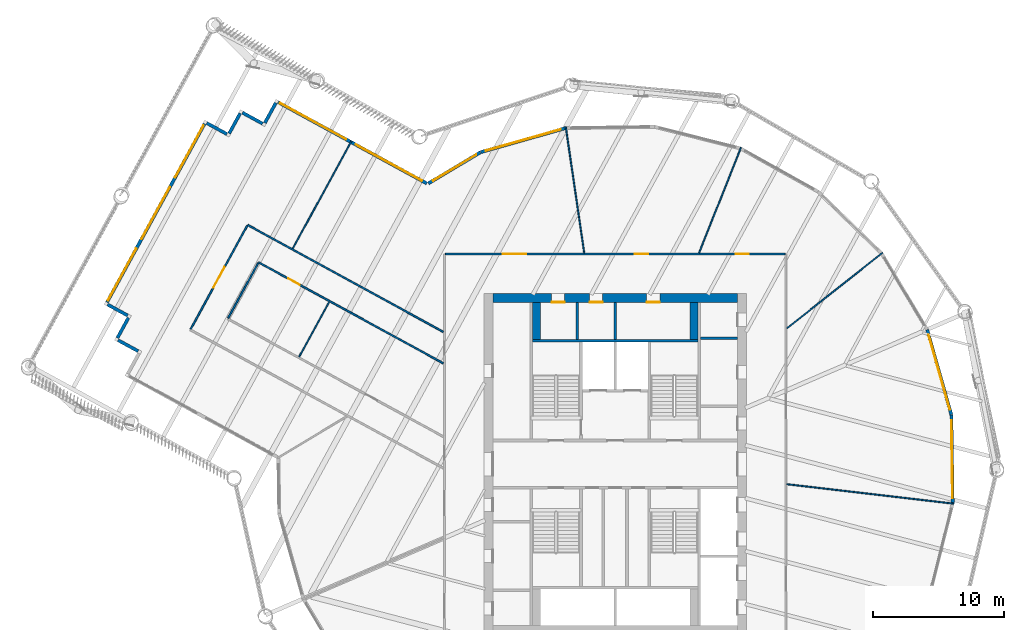
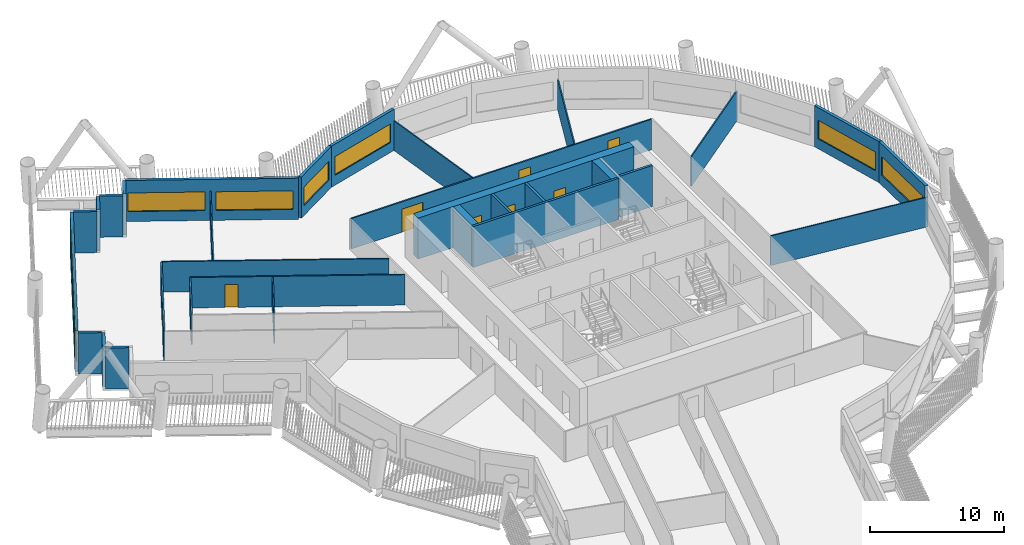
# One storey, part 6 of 24: 31 walls, 9 windows, 8 doors, 17 openings.
"""IFC4 building model written with IfcOpenShell, lengths in metres."""

from ifc_helpers import new_model, si_unit, direction, frame, frame_2d, origin, place, context, subcontext, project, spatial, rectangle, extrude, material, layer, layer_set, type_object, element, fill, save


model = new_model("IFC4")

# Units and contexts
model_context = context("Model", 3, precision=1e-05, world=origin(), true_north=direction((0.0, 1.0)))
body_context = subcontext(model_context, "Body", "Model", "MODEL_VIEW")
ifc_project = project(units=[si_unit("LENGTHUNIT", "METRE"), si_unit("AREAUNIT", "SQUARE_METRE"), si_unit("VOLUMEUNIT", "CUBIC_METRE"), si_unit("PLANEANGLEUNIT", "RADIAN"), si_unit("MASSUNIT", "GRAM", prefix="KILO")], contexts=[model_context])

# Site, building, storey
site_placement = place(None, origin())
site = spatial("IfcSite", under=ifc_project, at=site_placement, CompositionType="ELEMENT")
building_placement = place(site_placement, origin())
building = spatial("IfcBuilding", under=site, at=building_placement, Name="Tarsis Ring Headquarters", CompositionType="ELEMENT")
storey_placement = place(building_placement, frame((0.0, 0.0, 163.199951171875)))
storey = spatial("IfcBuildingStorey", under=building, at=storey_placement, Name="L37", CompositionType="ELEMENT", Elevation=163.199951171875)

# Walls
ifc_material_1 = material(Name="Blockwork", Category="masonry")
ifc_layer_1 = layer(ifc_material_1, 0.199951171875)
ifc_layer_set_1 = layer_set([ifc_layer_1], Name="Core blockwork wall 200")
wall_type_1 = type_object("IfcWallType", Name="Core blockwork wall 200", PredefinedType="PARTITIONING", material=ifc_layer_set_1)
for number, where, z_axis, x_axis, name in (
    (1, (6.5, 9.60009765625, 0.0), (0.0, 0.0, 1.0), (1.0, 0.0, 0.0), "Core partition ED7"),
    (2, (-2.89990234375, 9.5, 0.0), (0.0, 0.0, 1.0), (0.0, 1.0, 0.0), "Core partition ND1"),
    (3, (0.0, 9.5, 0.0), (0.0, 0.0, 1.0), (0.0, 1.0, 0.0), "Core partition ND2"),
):
    element("IfcWall", number, at=place(storey_placement, frame(where, z_axis=z_axis, x_axis=x_axis)), inside=storey, type_object=wall_type_1, Name=name, PredefinedType="PARTITIONING", context=body_context, shape_type="SweptSolid", body=[
        extrude(rectangle(XDim=2.800048828125, YDim=0.199951171875, at=frame_2d((1.39990234375, 0.0))), origin(), (0.0, 0.0, 1.0), 3.739990234375),
    ])

# Wall, openings, doors
ifc_material_2 = material(Name="Concrete C60/75", Category="concrete")
ifc_layer_2 = layer(ifc_material_2, 0.699951171875)
ifc_layer_set_2 = layer_set([ifc_layer_2], Name="Core wall 700 C60/75")
wall_type_2 = type_object("IfcWallType", Name="Core wall 700 C60/75", PredefinedType="SHEAR", material=ifc_layer_set_2)
wall_1_placement = place(storey_placement, frame((-9.300048828125, 12.64990234375, 0.0), z_axis=(0.0, 0.0, 1.0), x_axis=(1.0, 0.0, 0.0)))
wall_1 = element("IfcWall", 4, at=wall_1_placement, inside=storey, type_object=wall_type_2, Name="Core wall ON", PredefinedType="SHEAR", context=body_context, shape_type="SweptSolid", body=[
    extrude(rectangle(XDim=18.60009765625, YDim=0.699951171875, at=frame_2d((9.300048828125, 0.0))), origin(), (0.0, 0.0, 1.0), 3.739990234375),
])
opening_1_placement = place(wall_1_placement, frame((4.449951171875, 0.0, 0.0)))
opening_1 = element("IfcOpeningElement", 5, at=opening_1_placement, cuts=wall_1, Name="Opening L37-C14", PredefinedType="OPENING", context=body_context, shape_type="SweptSolid", body=[
    extrude(rectangle(XDim=1.0, YDim=2.10009765625, at=frame_2d((0.5, 1.050048828125))), frame((0.0, 0.35986328125, 0.0), z_axis=(0.0, -1.0, 0.0), x_axis=(1.0, 0.0, 0.0)), (0.0, 0.0, 1.0), 0.719970703125),
])
opening_2_placement = place(wall_1_placement, frame((7.35009765625, 0.0, 0.0)))
opening_2 = element("IfcOpeningElement", 6, at=opening_2_placement, cuts=wall_1, Name="Opening L37-C15", PredefinedType="OPENING", context=body_context, shape_type="SweptSolid", body=[
    extrude(rectangle(XDim=1.0, YDim=2.10009765625, at=frame_2d((0.5, 1.050048828125))), frame((0.0, 0.35986328125, 0.0), z_axis=(0.0, -1.0, 0.0), x_axis=(1.0, 0.0, 0.0)), (0.0, 0.0, 1.0), 0.719970703125),
])
opening_3_placement = place(wall_1_placement, frame((11.699951171875, 0.0, 0.0)))
opening_3 = element("IfcOpeningElement", 7, at=opening_3_placement, cuts=wall_1, Name="Opening L37-C16", PredefinedType="OPENING", context=body_context, shape_type="SweptSolid", body=[
    extrude(rectangle(XDim=1.0, YDim=2.10009765625, at=frame_2d((0.5, 1.050048828125))), frame((0.0, 0.35986328125, 0.0), z_axis=(0.0, -1.0, 0.0), x_axis=(1.0, 0.0, 0.0)), (0.0, 0.0, 1.0), 0.719970703125),
])
ifc_material_3 = material(Name="Steel S355", Category="steel")
door_type_1 = type_object("IfcDoorType", Name="Core room door 1000x2100", OperationType="SINGLE_SWING_LEFT", PredefinedType="DOOR", material=ifc_material_3)
door_1_placement = place(opening_1_placement, origin())
door_1 = element("IfcDoor", 8, at=door_1_placement, inside=storey, type_object=door_type_1, Name="Core room door L37", OperationType="SINGLE_SWING_LEFT", OverallHeight=2.10009765625, OverallWidth=1.0, PredefinedType="DOOR", context=body_context, shape_type="SweptSolid", body=[
    extrude(rectangle(XDim=1.0, YDim=2.10009765625, at=frame_2d((0.5, 1.050048828125))), frame((0.0, -0.2998046875, 0.0), z_axis=(0.0, -1.0, 0.0), x_axis=(1.0, 0.0, 0.0)), (0.0, 0.0, 1.0), 0.050048828125),
])
fill(opening_1, door_1)
door_2_placement = place(opening_2_placement, origin())
door_2 = element("IfcDoor", 9, at=door_2_placement, inside=storey, type_object=door_type_1, Name="Core room door L37", OperationType="SINGLE_SWING_LEFT", OverallHeight=2.10009765625, OverallWidth=1.0, PredefinedType="DOOR", context=body_context, shape_type="SweptSolid", body=[
    extrude(rectangle(XDim=1.0, YDim=2.10009765625, at=frame_2d((0.5, 1.050048828125))), frame((0.0, -0.2998046875, 0.0), z_axis=(0.0, -1.0, 0.0), x_axis=(1.0, 0.0, 0.0)), (0.0, 0.0, 1.0), 0.050048828125),
])
fill(opening_2, door_2)
door_3_placement = place(opening_3_placement, origin())
door_3 = element("IfcDoor", 10, at=door_3_placement, inside=storey, type_object=door_type_1, Name="Core room door L37", OperationType="SINGLE_SWING_LEFT", OverallHeight=2.10009765625, OverallWidth=1.0, PredefinedType="DOOR", context=body_context, shape_type="SweptSolid", body=[
    extrude(rectangle(XDim=1.0, YDim=2.10009765625, at=frame_2d((0.5, 1.050048828125))), frame((0.0, -0.2998046875, 0.0), z_axis=(0.0, -1.0, 0.0), x_axis=(1.0, 0.0, 0.0)), (0.0, 0.0, 1.0), 0.050048828125),
])
fill(opening_3, door_3)

# Walls
ifc_material_4 = material(Name="Gypsum board on steel studs", Category="steel")
ifc_layer_3 = layer(ifc_material_4, 0.10009765625)
ifc_layer_set_3 = layer_set([ifc_layer_3], Name="FL partition 100 unrated")
wall_type_3 = type_object("IfcWallType", Name="FL partition 100 unrated", PredefinedType="PARTITIONING", material=ifc_layer_set_3)
wall_2_placement = place(storey_placement, frame((13.069580078125, -1.526123046875, 0.0), z_axis=(0.0, 0.0, 1.0), x_axis=(0.993250829331, -0.115986163111, 0.0)))
element("IfcWall", 11, at=wall_2_placement, inside=storey, type_object=wall_type_3, Name="Partition PW3", PredefinedType="PARTITIONING", context=body_context, shape_type="SweptSolid", body=[
    extrude(rectangle(XDim=12.78955078125, YDim=0.10009765625, at=frame_2d((6.394775390625, 0.0))), origin(), (0.0, 0.0, 1.0), 2.699951171875),
])
wall_3_placement = place(storey_placement, frame((-3.763671875, 25.67333984375, 0.0), z_axis=(0.0, 0.0, 1.0), x_axis=(0.145050825958, -0.989424205227, 0.0)))
element("IfcWall", 12, at=wall_3_placement, inside=storey, type_object=wall_type_3, Name="Partition PW3", PredefinedType="PARTITIONING", context=body_context, shape_type="SweptSolid", body=[
    extrude(rectangle(XDim=9.70654296875, YDim=0.10009765625, at=frame_2d((4.853271484375, 0.0))), origin(), (0.0, 0.0, 1.0), 2.699951171875),
])
wall_4_placement = place(storey_placement, frame((-24.55419921875, 16.41796875, 0.0), z_axis=(0.0, 0.0, 1.0), x_axis=(0.479626442255, 0.877472777862, 0.0)))
element("IfcWall", 13, at=wall_4_placement, inside=storey, type_object=wall_type_3, Name="Partition PW3", PredefinedType="PARTITIONING", context=body_context, shape_type="SweptSolid", body=[
    extrude(rectangle(XDim=9.3203125, YDim=0.10009765625, at=frame_2d((4.66015625, 0.0))), origin(), (0.0, 0.0, 1.0), 2.699951171875),
])
wall_5_placement = place(storey_placement, frame((13.086181640625, 10.349853515625, 0.0), z_axis=(0.0, 0.0, 1.0), x_axis=(0.784350879441, 0.62031741707, 0.0)))
element("IfcWall", 14, at=wall_5_placement, inside=storey, type_object=wall_type_3, Name="Partition PW3", PredefinedType="PARTITIONING", context=body_context, shape_type="SweptSolid", body=[
    extrude(rectangle(XDim=9.263427734375, YDim=0.10009765625, at=frame_2d((4.6318359375, 0.0))), origin(), (0.0, 0.0, 1.0), 2.699951171875),
])
wall_6_placement = place(storey_placement, frame((6.3837890625, 16.074462890625, 0.0), z_axis=(0.0, 0.0, 1.0), x_axis=(0.369107861976, 0.929386564475, 0.0)))
element("IfcWall", 15, at=wall_6_placement, inside=storey, type_object=wall_type_3, Name="Partition PW3", PredefinedType="PARTITIONING", context=body_context, shape_type="SweptSolid", body=[
    extrude(rectangle(XDim=8.65234375, YDim=0.10009765625, at=frame_2d((4.326171875, 0.0))), origin(), (0.0, 0.0, 1.0), 2.699951171875),
])
wall_7_placement = place(storey_placement, frame((-24.068115234375, 8.1748046875, 0.0), z_axis=(0.0, 0.0, 1.0), x_axis=(0.479595800786, 0.877489525788, 0.0)))
element("IfcWall", 16, at=wall_7_placement, inside=storey, type_object=wall_type_3, Name="Partition PW3", PredefinedType="PARTITIONING", context=body_context, shape_type="SweptSolid", body=[
    extrude(rectangle(XDim=4.76025390625, YDim=0.10009765625, at=frame_2d((2.380126953125, 0.0))), origin(), (0.0, 0.0, 1.0), 2.699951171875),
])

# Wall, openings, doors
ifc_layer_4 = layer(ifc_material_4, 0.125)
ifc_layer_set_4 = layer_set([ifc_layer_4], Name="FL partition 125 EI 60 H2770")
wall_type_4 = type_object("IfcWallType", Name="FL partition 125 EI 60 H2770", PredefinedType="PARTITIONING", material=ifc_layer_set_4)
wall_8_placement = place(storey_placement, frame((-12.93994140625, 16.0, 0.0), z_axis=(0.0, 0.0, 1.0), x_axis=(1.0, 0.0, 0.0)))
wall_8 = element("IfcWall", 17, at=wall_8_placement, inside=storey, type_object=wall_type_4, Name="Partition PW1", PredefinedType="PARTITIONING", context=body_context, shape_type="SweptSolid", body=[
    extrude(rectangle(XDim=25.8798828125, YDim=0.125, at=frame_2d((12.93994140625, 0.0))), origin(), (0.0, 0.0, 1.0), 2.77001953125),
])
opening_4_placement = place(wall_8_placement, frame((4.3671875, 0.0, 0.0)))
opening_4 = element("IfcOpeningElement", 18, at=opening_4_placement, cuts=wall_8, Name="Opening D37.02", PredefinedType="OPENING", context=body_context, shape_type="SweptSolid", body=[
    extrude(rectangle(XDim=1.800048828125, YDim=2.10009765625, at=frame_2d((0.89990234375, 1.050048828125))), frame((0.0, 0.072509765625, 0.0), z_axis=(0.0, -1.0, 0.0), x_axis=(1.0, 0.0, 0.0)), (0.0, 0.0, 1.0), 0.14501953125),
])
opening_5_placement = place(wall_8_placement, frame((14.4443359375, 0.0, 0.0)))
opening_5 = element("IfcOpeningElement", 19, at=opening_5_placement, cuts=wall_8, Name="Opening D37.03", PredefinedType="OPENING", context=body_context, shape_type="SweptSolid", body=[
    extrude(rectangle(XDim=1.0, YDim=2.10009765625, at=frame_2d((0.5, 1.050048828125))), frame((0.0, 0.072509765625, 0.0), z_axis=(0.0, -1.0, 0.0), x_axis=(1.0, 0.0, 0.0)), (0.0, 0.0, 1.0), 0.14501953125),
])
opening_6_placement = place(wall_8_placement, frame((22.1171875, 0.0, 0.0)))
opening_6 = element("IfcOpeningElement", 20, at=opening_6_placement, cuts=wall_8, Name="Opening D37.04", PredefinedType="OPENING", context=body_context, shape_type="SweptSolid", body=[
    extrude(rectangle(XDim=1.0, YDim=2.10009765625, at=frame_2d((0.5, 1.050048828125))), frame((0.0, 0.072509765625, 0.0), z_axis=(0.0, -1.0, 0.0), x_axis=(1.0, 0.0, 0.0)), (0.0, 0.0, 1.0), 0.14501953125),
])
ifc_material_5 = material(Name="Fire-rated timber door leaf in steel frame", Category="steel")
door_type_2 = type_object("IfcDoorType", Name="FL door FD60-1000", OperationType="NOTDEFINED", PredefinedType="DOOR", material=ifc_material_5)
door_4_placement = place(opening_5_placement, origin())
door_4 = element("IfcDoor", 21, at=door_4_placement, inside=storey, type_object=door_type_2, Name="Door D37.03", OperationType="SINGLE_SWING_RIGHT", OverallHeight=2.10009765625, OverallWidth=1.0, PredefinedType="DOOR", context=body_context, shape_type="SweptSolid", body=[
    extrude(rectangle(XDim=1.0, YDim=2.10009765625, at=frame_2d((0.5, 1.050048828125))), frame((0.0, 0.02490234375, 0.0), z_axis=(0.0, -1.0, 0.0), x_axis=(1.0, 0.0, 0.0)), (0.0, 0.0, 1.0), 0.050048828125),
])
fill(opening_5, door_4)
door_5_placement = place(opening_6_placement, origin())
door_5 = element("IfcDoor", 22, at=door_5_placement, inside=storey, type_object=door_type_2, Name="Door D37.04", OperationType="SINGLE_SWING_LEFT", OverallHeight=2.10009765625, OverallWidth=1.0, PredefinedType="DOOR", context=body_context, shape_type="SweptSolid", body=[
    extrude(rectangle(XDim=1.0, YDim=2.10009765625, at=frame_2d((0.5, 1.050048828125))), frame((0.0, 0.02490234375, 0.0), z_axis=(0.0, -1.0, 0.0), x_axis=(1.0, 0.0, 0.0)), (0.0, 0.0, 1.0), 0.050048828125),
])
fill(opening_6, door_5)
door_type_3 = type_object("IfcDoorType", Name="FL door FD60-1800", OperationType="DOUBLE_DOOR_SINGLE_SWING", PredefinedType="DOOR", material=ifc_material_5)
door_6_placement = place(opening_4_placement, origin())
door_6 = element("IfcDoor", 23, at=door_6_placement, inside=storey, type_object=door_type_3, Name="Door D37.02", OperationType="DOUBLE_DOOR_SINGLE_SWING", OverallHeight=2.10009765625, OverallWidth=1.800048828125, PredefinedType="DOOR", context=body_context, shape_type="SweptSolid", body=[
    extrude(rectangle(XDim=1.800048828125, YDim=2.10009765625, at=frame_2d((0.89990234375, 1.050048828125))), frame((0.0, 0.02490234375, 0.0), z_axis=(0.0, -1.0, 0.0), x_axis=(1.0, 0.0, 0.0)), (0.0, 0.0, 1.0), 0.050048828125),
])
fill(opening_4, door_6)

# Wall
wall_9_placement = place(storey_placement, frame((-27.9921875, 18.21728515625, 0.0), z_axis=(0.0, 0.0, 1.0), x_axis=(0.877481071191, -0.479611269365, 0.0)))
element("IfcWall", 24, at=wall_9_placement, inside=storey, type_object=wall_type_4, Name="Partition PW1", PredefinedType="PARTITIONING", context=body_context, shape_type="SweptSolid", body=[
    extrude(rectangle(XDim=16.985595703125, YDim=0.125, at=frame_2d((8.49267578125, 0.0))), origin(), (0.0, 0.0, 1.0), 2.77001953125),
])

# Wall, opening, door
wall_10_placement = place(storey_placement, frame((-27.15673828125, 15.367431640625, 0.0), z_axis=(0.0, 0.0, 1.0), x_axis=(0.877484995228, -0.479604090005, 0.0)))
wall_10 = element("IfcWall", 25, at=wall_10_placement, inside=storey, type_object=wall_type_4, Name="Partition PW1", PredefinedType="PARTITIONING", context=body_context, shape_type="SweptSolid", body=[
    extrude(rectangle(XDim=16.033447265625, YDim=0.125, at=frame_2d((8.0166015625, 0.0))), origin(), (0.0, 0.0, 1.0), 2.77001953125),
])
opening_7_placement = place(wall_10_placement, frame((2.577880859375, 0.0, 0.0)))
opening_7 = element("IfcOpeningElement", 26, at=opening_7_placement, cuts=wall_10, Name="Opening D37.12", PredefinedType="OPENING", context=body_context, shape_type="SweptSolid", body=[
    extrude(rectangle(XDim=1.0, YDim=2.10009765625, at=frame_2d((0.5, 1.050048828125))), frame((0.0, 0.072509765625, 0.0), z_axis=(0.0, -1.0, 0.0), x_axis=(1.0, 0.0, 0.0)), (0.0, 0.0, 1.0), 0.14501953125),
])
door_7_placement = place(opening_7_placement, origin())
door_7 = element("IfcDoor", 27, at=door_7_placement, inside=storey, type_object=door_type_2, Name="Door D37.12", OperationType="SINGLE_SWING_LEFT", OverallHeight=2.10009765625, OverallWidth=1.0, PredefinedType="DOOR", context=body_context, shape_type="SweptSolid", body=[
    extrude(rectangle(XDim=1.0, YDim=2.10009765625, at=frame_2d((0.5, 1.050048828125))), frame((0.0, 0.02490234375, 0.0), z_axis=(0.0, -1.0, 0.0), x_axis=(1.0, 0.0, 0.0)), (0.0, 0.0, 1.0), 0.050048828125),
])
fill(opening_7, door_7)

wall_11_placement = place(storey_placement, frame((-32.327880859375, 10.284912109375, 0.0), z_axis=(0.0, 0.0, 1.0), x_axis=(0.479604356998, 0.877484849298, 0.0)))
wall_11 = element("IfcWall", 28, at=wall_11_placement, inside=storey, type_object=wall_type_4, Name="Partition PW1", PredefinedType="PARTITIONING", context=body_context, shape_type="SweptSolid", body=[
    extrude(rectangle(XDim=8.97998046875, YDim=0.125, at=frame_2d((4.489990234375, 0.0))), origin(), (0.0, 0.0, 1.0), 2.77001953125),
])
opening_8_placement = place(wall_11_placement, frame((3.590087890625, 0.0, 0.0)))
opening_8 = element("IfcOpeningElement", 29, at=opening_8_placement, cuts=wall_11, Name="Opening D37.01", PredefinedType="OPENING", context=body_context, shape_type="SweptSolid", body=[
    extrude(rectangle(XDim=1.800048828125, YDim=2.10009765625, at=frame_2d((0.89990234375, 1.050048828125))), frame((0.0, 0.072509765625, 0.0), z_axis=(0.0, -1.0, 0.0), x_axis=(1.0, 0.0, 0.0)), (0.0, 0.0, 1.0), 0.14501953125),
])
door_8_placement = place(opening_8_placement, origin())
door_8 = element("IfcDoor", 30, at=door_8_placement, inside=storey, type_object=door_type_3, Name="Door D37.01", OperationType="DOUBLE_DOOR_SINGLE_SWING", OverallHeight=2.10009765625, OverallWidth=1.800048828125, PredefinedType="DOOR", context=body_context, shape_type="SweptSolid", body=[
    extrude(rectangle(XDim=1.800048828125, YDim=2.10009765625, at=frame_2d((0.89990234375, 1.050048828125))), frame((0.0, 0.02490234375, 0.0), z_axis=(0.0, -1.0, 0.0), x_axis=(1.0, 0.0, 0.0)), (0.0, 0.0, 1.0), 0.050048828125),
])
fill(opening_8, door_8)

# Wall
wall_12_placement = place(storey_placement, frame((-29.47802734375, 11.12060546875, 0.0), z_axis=(0.0, 0.0, 1.0), x_axis=(0.479603455327, 0.877485342122, 0.0)))
element("IfcWall", 31, at=wall_12_placement, inside=storey, type_object=wall_type_4, Name="Partition PW1", PredefinedType="PARTITIONING", context=body_context, shape_type="SweptSolid", body=[
    extrude(rectangle(XDim=4.780029296875, YDim=0.125, at=frame_2d((2.39013671875, 0.0))), origin(), (0.0, 0.0, 1.0), 2.77001953125),
])

# Wall, opening, window
ifc_material_6 = material(Name="Terracotta clad insulated panel wall", Category="masonry")
ifc_layer_5 = layer(ifc_material_6, 0.25)
ifc_layer_set_5 = layer_set([ifc_layer_5], Name="Facade wall terracotta panel 250")
wall_type_5 = type_object("IfcWallType", Name="Facade wall terracotta panel 250", PredefinedType="STANDARD", material=ifc_layer_set_5)
wall_13_placement = place(storey_placement, frame((25.698974609375, -2.984375, 0.0), z_axis=(0.0, 0.0, 1.0), x_axis=(-0.014637539496, 0.99989286548, 0.0)))
wall_13 = element("IfcWall", 32, at=wall_13_placement, inside=storey, type_object=wall_type_5, Name="External wall L37-22", PredefinedType="STANDARD", context=body_context, shape_type="SweptSolid", body=[
    extrude(rectangle(XDim=6.7216796875, YDim=0.25, at=frame_2d((3.36083984375, 0.0))), origin(), (0.0, 0.0, 1.0), 3.739990234375),
])
opening_9_placement = place(wall_13_placement, frame((0.3857421875, 0.0, 0.89990234375)))
opening_9 = element("IfcOpeningElement", 33, at=opening_9_placement, cuts=wall_13, Name="Opening WN07", PredefinedType="OPENING", context=body_context, shape_type="SweptSolid", body=[
    extrude(rectangle(XDim=5.949951171875, YDim=1.699951171875, at=frame_2d((2.97509765625, 0.85009765625))), frame((0.0, 0.135009765625, 0.0), z_axis=(0.0, -1.0, 0.0), x_axis=(1.0, 0.0, 0.0)), (0.0, 0.0, 1.0), 0.27001953125),
])
ifc_material_7 = material(Name="Aluminium framed double glazing", Category="aluminium")
window_type_1 = type_object("IfcWindowType", Name="Facade window 5950 x 1700", PartitioningType="SINGLE_PANEL", PredefinedType="WINDOW", material=ifc_material_7)
window_1_placement = place(opening_9_placement, origin())
window_1 = element("IfcWindow", 34, at=window_1_placement, inside=storey, type_object=window_type_1, Name="Window L37-22.1", OverallHeight=1.699951171875, OverallWidth=5.949951171875, PartitioningType="SINGLE_PANEL", PredefinedType="WINDOW", context=body_context, shape_type="SweptSolid", body=[
    extrude(rectangle(XDim=5.949951171875, YDim=1.699951171875, at=frame_2d((2.97509765625, 0.85009765625))), frame((0.0, 0.030029296875, 0.0), z_axis=(0.0, -1.0, 0.0), x_axis=(1.0, 0.0, 0.0)), (0.0, 0.0, 1.0), 0.06005859375),
])
fill(opening_9, window_1)

wall_14_placement = place(storey_placement, frame((25.595703125, 3.768798828125, 0.0), z_axis=(0.0, 0.0, 1.0), x_axis=(-0.272926460476, 0.962034899144, 0.0)))
wall_14 = element("IfcWall", 35, at=wall_14_placement, inside=storey, type_object=wall_type_5, Name="External wall L37-23", PredefinedType="STANDARD", context=body_context, shape_type="SweptSolid", body=[
    extrude(rectangle(XDim=6.721435546875, YDim=0.25, at=frame_2d((3.36083984375, 0.0))), origin(), (0.0, 0.0, 1.0), 3.739990234375),
])
opening_10_placement = place(wall_14_placement, frame((0.3857421875, 0.0, 0.89990234375)))
opening_10 = element("IfcOpeningElement", 36, at=opening_10_placement, cuts=wall_14, Name="Opening WN07", PredefinedType="OPENING", context=body_context, shape_type="SweptSolid", body=[
    extrude(rectangle(XDim=5.949951171875, YDim=1.699951171875, at=frame_2d((2.97509765625, 0.85009765625))), frame((0.0, 0.135009765625, 0.0), z_axis=(0.0, -1.0, 0.0), x_axis=(1.0, 0.0, 0.0)), (0.0, 0.0, 1.0), 0.27001953125),
])
window_2_placement = place(opening_10_placement, origin())
window_2 = element("IfcWindow", 37, at=window_2_placement, inside=storey, type_object=window_type_1, Name="Window L37-23.1", OverallHeight=1.699951171875, OverallWidth=5.949951171875, PartitioningType="SINGLE_PANEL", PredefinedType="WINDOW", context=body_context, shape_type="SweptSolid", body=[
    extrude(rectangle(XDim=5.949951171875, YDim=1.699951171875, at=frame_2d((2.97509765625, 0.85009765625))), frame((0.0, 0.030029296875, 0.0), z_axis=(0.0, -1.0, 0.0), x_axis=(1.0, 0.0, 0.0)), (0.0, 0.0, 1.0), 0.06005859375),
])
fill(opening_10, window_2)

wall_15_placement = place(storey_placement, frame((-3.768798828125, 25.595703125, 0.0), z_axis=(0.0, 0.0, 1.0), x_axis=(-0.962034899144, -0.272926460476, 0.0)))
wall_15 = element("IfcWall", 38, at=wall_15_placement, inside=storey, type_object=wall_type_5, Name="External wall L37-29", PredefinedType="STANDARD", context=body_context, shape_type="SweptSolid", body=[
    extrude(rectangle(XDim=6.721435546875, YDim=0.25, at=frame_2d((3.36083984375, 0.0))), origin(), (0.0, 0.0, 1.0), 3.739990234375),
])
opening_11_placement = place(wall_15_placement, frame((0.3857421875, 0.0, 0.89990234375)))
opening_11 = element("IfcOpeningElement", 39, at=opening_11_placement, cuts=wall_15, Name="Opening WN07", PredefinedType="OPENING", context=body_context, shape_type="SweptSolid", body=[
    extrude(rectangle(XDim=5.949951171875, YDim=1.699951171875, at=frame_2d((2.97509765625, 0.85009765625))), frame((0.0, 0.135009765625, 0.0), z_axis=(0.0, -1.0, 0.0), x_axis=(1.0, 0.0, 0.0)), (0.0, 0.0, 1.0), 0.27001953125),
])
window_3_placement = place(opening_11_placement, origin())
window_3 = element("IfcWindow", 40, at=window_3_placement, inside=storey, type_object=window_type_1, Name="Window L37-29.1", OverallHeight=1.699951171875, OverallWidth=5.949951171875, PartitioningType="SINGLE_PANEL", PredefinedType="WINDOW", context=body_context, shape_type="SweptSolid", body=[
    extrude(rectangle(XDim=5.949951171875, YDim=1.699951171875, at=frame_2d((2.97509765625, 0.85009765625))), frame((0.0, 0.030029296875, 0.0), z_axis=(0.0, -1.0, 0.0), x_axis=(1.0, 0.0, 0.0)), (0.0, 0.0, 1.0), 0.06005859375),
])
fill(opening_11, window_3)

wall_16_placement = place(storey_placement, frame((-10.26513671875, 23.748291015625, 0.0), z_axis=(0.0, 0.0, 1.0), x_axis=(-0.858587226667, -0.512667508435, 0.0)))
wall_16 = element("IfcWall", 41, at=wall_16_placement, inside=storey, type_object=wall_type_5, Name="External wall L37-30", PredefinedType="STANDARD", context=body_context, shape_type="SweptSolid", body=[
    extrude(rectangle(XDim=4.617919921875, YDim=0.25, at=frame_2d((2.30908203125, 0.0))), origin(), (0.0, 0.0, 1.0), 3.739990234375),
])
opening_12_placement = place(wall_16_placement, frame((0.367431640625, 0.0, 0.89990234375)))
opening_12 = element("IfcOpeningElement", 42, at=opening_12_placement, cuts=wall_16, Name="Opening WN02", PredefinedType="OPENING", context=body_context, shape_type="SweptSolid", body=[
    extrude(rectangle(XDim=3.85009765625, YDim=1.699951171875, at=frame_2d((1.925048828125, 0.85009765625))), frame((0.0, 0.135009765625, 0.0), z_axis=(0.0, -1.0, 0.0), x_axis=(1.0, 0.0, 0.0)), (0.0, 0.0, 1.0), 0.27001953125),
])
window_type_2 = type_object("IfcWindowType", Name="Facade window 3850 x 1700", PartitioningType="SINGLE_PANEL", PredefinedType="WINDOW", material=ifc_material_7)
window_4_placement = place(opening_12_placement, origin())
window_4 = element("IfcWindow", 43, at=window_4_placement, inside=storey, type_object=window_type_2, Name="Window L37-30.1", OverallHeight=1.699951171875, OverallWidth=3.85009765625, PartitioningType="SINGLE_PANEL", PredefinedType="WINDOW", context=body_context, shape_type="SweptSolid", body=[
    extrude(rectangle(XDim=3.85009765625, YDim=1.699951171875, at=frame_2d((1.925048828125, 0.85009765625))), frame((0.0, 0.030029296875, 0.0), z_axis=(0.0, -1.0, 0.0), x_axis=(1.0, 0.0, 0.0)), (0.0, 0.0, 1.0), 0.06005859375),
])
fill(opening_12, window_4)

# Wall, openings, windows
wall_17_placement = place(storey_placement, frame((-14.35400390625, 21.378662109375, 0.0), z_axis=(0.0, 0.0, 1.0), x_axis=(-0.877483019654, 0.479607704503, 0.0)))
wall_17 = element("IfcWall", 44, at=wall_17_placement, inside=storey, type_object=wall_type_5, Name="External wall L37-31", PredefinedType="STANDARD", context=body_context, shape_type="SweptSolid", body=[
    extrude(rectangle(XDim=12.901123046875, YDim=0.25, at=frame_2d((6.45068359375, 0.0))), origin(), (0.0, 0.0, 1.0), 3.739990234375),
])
opening_13_placement = place(wall_17_placement, frame((0.412841796875, 0.0, 0.89990234375)))
opening_13 = element("IfcOpeningElement", 45, at=opening_13_placement, cuts=wall_17, Name="Opening WN06", PredefinedType="OPENING", context=body_context, shape_type="SweptSolid", body=[
    extrude(rectangle(XDim=5.75, YDim=1.699951171875, at=frame_2d((2.875, 0.85009765625))), frame((0.0, 0.135009765625, 0.0), z_axis=(0.0, -1.0, 0.0), x_axis=(1.0, 0.0, 0.0)), (0.0, 0.0, 1.0), 0.27001953125),
])
opening_14_placement = place(wall_17_placement, frame((6.988525390625, 0.0, 0.89990234375)))
opening_14 = element("IfcOpeningElement", 46, at=opening_14_placement, cuts=wall_17, Name="Opening WN06", PredefinedType="OPENING", context=body_context, shape_type="SweptSolid", body=[
    extrude(rectangle(XDim=5.75, YDim=1.699951171875, at=frame_2d((2.875, 0.85009765625))), frame((0.0, 0.135009765625, 0.0), z_axis=(0.0, -1.0, 0.0), x_axis=(1.0, 0.0, 0.0)), (0.0, 0.0, 1.0), 0.27001953125),
])
window_type_3 = type_object("IfcWindowType", Name="Facade window 5750 x 1700", PartitioningType="SINGLE_PANEL", PredefinedType="WINDOW", material=ifc_material_7)
window_5_placement = place(opening_13_placement, origin())
window_5 = element("IfcWindow", 47, at=window_5_placement, inside=storey, type_object=window_type_3, Name="Window L37-31.1", OverallHeight=1.699951171875, OverallWidth=5.75, PartitioningType="SINGLE_PANEL", PredefinedType="WINDOW", context=body_context, shape_type="SweptSolid", body=[
    extrude(rectangle(XDim=5.75, YDim=1.699951171875, at=frame_2d((2.875, 0.85009765625))), frame((0.0, 0.030029296875, 0.0), z_axis=(0.0, -1.0, 0.0), x_axis=(1.0, 0.0, 0.0)), (0.0, 0.0, 1.0), 0.06005859375),
])
fill(opening_13, window_5)
window_6_placement = place(opening_14_placement, origin())
window_6 = element("IfcWindow", 48, at=window_6_placement, inside=storey, type_object=window_type_3, Name="Window L37-31.2", OverallHeight=1.699951171875, OverallWidth=5.75, PartitioningType="SINGLE_PANEL", PredefinedType="WINDOW", context=body_context, shape_type="SweptSolid", body=[
    extrude(rectangle(XDim=5.75, YDim=1.699951171875, at=frame_2d((2.875, 0.85009765625))), frame((0.0, 0.030029296875, 0.0), z_axis=(0.0, -1.0, 0.0), x_axis=(1.0, 0.0, 0.0)), (0.0, 0.0, 1.0), 0.06005859375),
])
fill(opening_14, window_6)

# Walls
for number, where, z_axis, x_axis, name in (
    (49, (-25.84423828125, 27.516357421875, 0.0), (0.0, 0.0, 1.0), (-0.479673050927, -0.877447299964, 0.0), "External wall L37-32"),
    (50, (-26.853271484375, 25.93115234375, 0.0), (0.0, 0.0, 1.0), (-0.877447299964, 0.479673050927, 0.0), "External wall L37-33"),
):
    element("IfcWall", number, at=place(storey_placement, frame(where, z_axis=z_axis, x_axis=x_axis)), inside=storey, type_object=wall_type_5, Name=name, PredefinedType="STANDARD", context=body_context, shape_type="SweptSolid", body=[
        extrude(rectangle(XDim=1.749755859375, YDim=0.25, at=frame_2d((0.875, 0.0))), origin(), (0.0, 0.0, 1.0), 3.739990234375),
    ])
for number, where, z_axis, x_axis, name in (
    (51, (-28.558349609375, 26.720703125, 0.0), (0.0, 0.0, 1.0), (-0.479614334369, -0.877479395922, 0.0), "External wall L37-34"),
    (52, (-29.5673828125, 25.135498046875, 0.0), (0.0, 0.0, 1.0), (-0.877538103719, 0.479506909775, 0.0), "External wall L37-35"),
):
    element("IfcWall", number, at=place(storey_placement, frame(where, z_axis=z_axis, x_axis=x_axis)), inside=storey, type_object=wall_type_5, Name=name, PredefinedType="STANDARD", context=body_context, shape_type="SweptSolid", body=[
        extrude(rectangle(XDim=1.75, YDim=0.25, at=frame_2d((0.875, 0.0))), origin(), (0.0, 0.0, 1.0), 3.739990234375),
    ])

# Wall, openings, windows
wall_18_placement = place(storey_placement, frame((-31.2724609375, 25.925048828125, 0.0), z_axis=(0.0, 0.0, 1.0), x_axis=(-0.479613408886, -0.877479901774, 0.0)))
wall_18 = element("IfcWall", 53, at=wall_18_placement, inside=storey, type_object=wall_type_5, Name="External wall L37-36", PredefinedType="STANDARD", context=body_context, shape_type="SweptSolid", body=[
    extrude(rectangle(XDim=15.500244140625, YDim=0.25, at=frame_2d((7.75, 0.0))), origin(), (0.0, 0.0, 1.0), 3.739990234375),
])
opening_15_placement = place(wall_18_placement, frame((0.166748046875, 0.0, 0.89990234375)))
opening_15 = element("IfcOpeningElement", 54, at=opening_15_placement, cuts=wall_18, Name="Opening WN04", PredefinedType="OPENING", context=body_context, shape_type="SweptSolid", body=[
    extrude(rectangle(XDim=4.5, YDim=1.699951171875, at=frame_2d((2.25, 0.85009765625))), frame((0.0, 0.135009765625, 0.0), z_axis=(0.0, -1.0, 0.0), x_axis=(1.0, 0.0, 0.0)), (0.0, 0.0, 1.0), 0.27001953125),
])
opening_16_placement = place(wall_18_placement, frame((5.5, 0.0, 0.89990234375)))
opening_16 = element("IfcOpeningElement", 55, at=opening_16_placement, cuts=wall_18, Name="Opening WN04", PredefinedType="OPENING", context=body_context, shape_type="SweptSolid", body=[
    extrude(rectangle(XDim=4.5, YDim=1.699951171875, at=frame_2d((2.25, 0.85009765625))), frame((0.0, 0.135009765625, 0.0), z_axis=(0.0, -1.0, 0.0), x_axis=(1.0, 0.0, 0.0)), (0.0, 0.0, 1.0), 0.27001953125),
])
opening_17_placement = place(wall_18_placement, frame((10.833251953125, 0.0, 0.89990234375)))
opening_17 = element("IfcOpeningElement", 56, at=opening_17_placement, cuts=wall_18, Name="Opening WN04", PredefinedType="OPENING", context=body_context, shape_type="SweptSolid", body=[
    extrude(rectangle(XDim=4.5, YDim=1.699951171875, at=frame_2d((2.25, 0.85009765625))), frame((0.0, 0.135009765625, 0.0), z_axis=(0.0, -1.0, 0.0), x_axis=(1.0, 0.0, 0.0)), (0.0, 0.0, 1.0), 0.27001953125),
])
window_type_4 = type_object("IfcWindowType", Name="Facade window 4500 x 1700", PartitioningType="SINGLE_PANEL", PredefinedType="WINDOW", material=ifc_material_7)
window_7_placement = place(opening_15_placement, origin())
window_7 = element("IfcWindow", 57, at=window_7_placement, inside=storey, type_object=window_type_4, Name="Window L37-36.1", OverallHeight=1.699951171875, OverallWidth=4.5, PartitioningType="SINGLE_PANEL", PredefinedType="WINDOW", context=body_context, shape_type="SweptSolid", body=[
    extrude(rectangle(XDim=4.5, YDim=1.699951171875, at=frame_2d((2.25, 0.85009765625))), frame((0.0, 0.030029296875, 0.0), z_axis=(0.0, -1.0, 0.0), x_axis=(1.0, 0.0, 0.0)), (0.0, 0.0, 1.0), 0.06005859375),
])
fill(opening_15, window_7)
window_8_placement = place(opening_16_placement, origin())
window_8 = element("IfcWindow", 58, at=window_8_placement, inside=storey, type_object=window_type_4, Name="Window L37-36.2", OverallHeight=1.699951171875, OverallWidth=4.5, PartitioningType="SINGLE_PANEL", PredefinedType="WINDOW", context=body_context, shape_type="SweptSolid", body=[
    extrude(rectangle(XDim=4.5, YDim=1.699951171875, at=frame_2d((2.25, 0.85009765625))), frame((0.0, 0.030029296875, 0.0), z_axis=(0.0, -1.0, 0.0), x_axis=(1.0, 0.0, 0.0)), (0.0, 0.0, 1.0), 0.06005859375),
])
fill(opening_16, window_8)
window_9_placement = place(opening_17_placement, origin())
window_9 = element("IfcWindow", 59, at=window_9_placement, inside=storey, type_object=window_type_4, Name="Window L37-36.3", OverallHeight=1.699951171875, OverallWidth=4.5, PartitioningType="SINGLE_PANEL", PredefinedType="WINDOW", context=body_context, shape_type="SweptSolid", body=[
    extrude(rectangle(XDim=4.5, YDim=1.699951171875, at=frame_2d((2.25, 0.85009765625))), frame((0.0, 0.030029296875, 0.0), z_axis=(0.0, -1.0, 0.0), x_axis=(1.0, 0.0, 0.0)), (0.0, 0.0, 1.0), 0.06005859375),
])
fill(opening_17, window_9)

# Walls
wall_19_placement = place(storey_placement, frame((-38.65673828125, 12.154296875, 0.0), z_axis=(0.0, 0.0, 1.0), x_axis=(0.877447299964, -0.479673050927, 0.0)))
element("IfcWall", 60, at=wall_19_placement, inside=storey, type_object=wall_type_5, Name="External wall L37-37", PredefinedType="STANDARD", context=body_context, shape_type="SweptSolid", body=[
    extrude(rectangle(XDim=1.749755859375, YDim=0.25, at=frame_2d((0.875, 0.0))), origin(), (0.0, 0.0, 1.0), 3.739990234375),
])
for number, where, z_axis, x_axis, name in (
    (61, (-37.071533203125, 11.1455078125, 0.0), (0.0, 0.0, 1.0), (-0.479614334369, -0.877479395922, 0.0), "External wall L37-38"),
    (62, (-37.861083984375, 9.440185546875, 0.0), (0.0, 0.0, 1.0), (0.877479395922, -0.479614334369, 0.0), "External wall L37-39"),
):
    element("IfcWall", number, at=place(storey_placement, frame(where, z_axis=z_axis, x_axis=x_axis)), inside=storey, type_object=wall_type_5, Name=name, PredefinedType="STANDARD", context=body_context, shape_type="SweptSolid", body=[
        extrude(rectangle(XDim=1.75, YDim=0.25, at=frame_2d((0.875, 0.0))), origin(), (0.0, 0.0, 1.0), 3.739990234375),
    ])
ifc_material_8 = material(Name="Concrete C32/40", Category="concrete")
ifc_layer_6 = layer(ifc_material_8, 0.60009765625)
ifc_layer_set_6 = layer_set([ifc_layer_6], Name="Shaft end wall 600 C32/40")
wall_type_6 = type_object("IfcWallType", Name="Shaft end wall 600 C32/40", PredefinedType="SOLIDWALL", material=ifc_layer_set_6)
for number, where, z_axis, x_axis, name in (
    (63, (-6.0, 9.5, 0.0), (0.0, 0.0, 1.0), (0.0, 1.0, 0.0), "Core shaft wall NNE1"),
    (64, (6.0, 9.5, 0.0), (0.0, 0.0, 1.0), (0.0, 1.0, 0.0), "Core shaft wall NNE2"),
):
    element("IfcWall", number, at=place(storey_placement, frame(where, z_axis=z_axis, x_axis=x_axis)), inside=storey, type_object=wall_type_6, Name=name, PredefinedType="SOLIDWALL", context=body_context, shape_type="SweptSolid", body=[
        extrude(rectangle(XDim=2.800048828125, YDim=0.60009765625, at=frame_2d((1.39990234375, 0.0))), origin(), (0.0, 0.0, 1.0), 3.739990234375),
    ])
ifc_layer_7 = layer(ifc_material_8, 0.199951171875)
ifc_layer_set_7 = layer_set([ifc_layer_7], Name="Shaft wall 200 C32/40")
wall_type_7 = type_object("IfcWallType", Name="Shaft wall 200 C32/40", PredefinedType="SOLIDWALL", material=ifc_layer_set_7)
wall_20_placement = place(storey_placement, frame((-6.300048828125, 9.39990234375, 0.0), z_axis=(0.0, 0.0, 1.0), x_axis=(1.0, 0.0, 0.0)))
element("IfcWall", 65, at=wall_20_placement, inside=storey, type_object=wall_type_7, Name="Core shaft wall NB", PredefinedType="SOLIDWALL", context=body_context, shape_type="SweptSolid", body=[
    extrude(rectangle(XDim=12.60009765625, YDim=0.199951171875, at=frame_2d((6.300048828125, 0.0))), origin(), (0.0, 0.0, 1.0), 3.739990234375),
])

save(model, "model.ifc")
